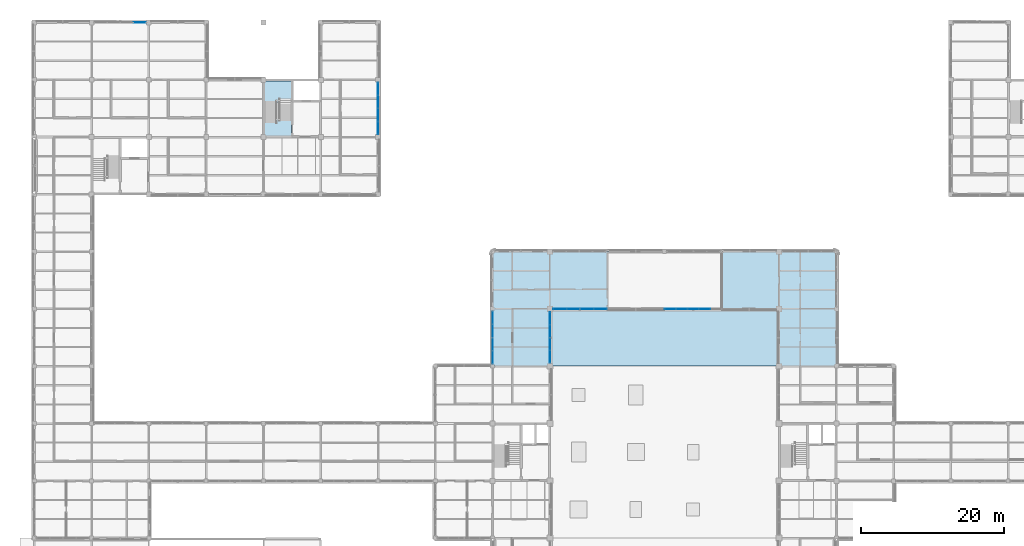
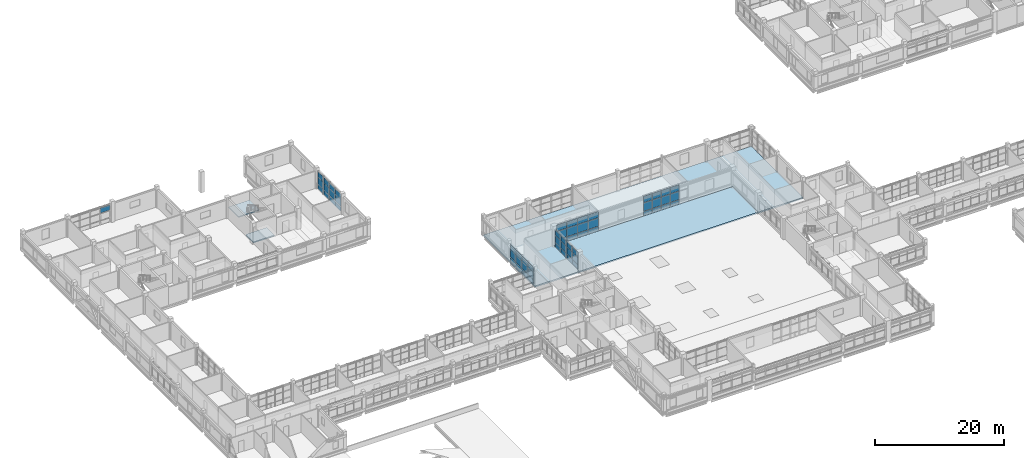
# One storey, part 63 of 107: 61 plates, 4 slabs, 7 elements without a shape of their own.
"""IFC4 building model written with IfcOpenShell, lengths in metres."""

from ifc_helpers import new_model, si_unit, derived_unit, direction, frame, origin, origin_2d, place, context, subcontext, project, spatial, polyline, rectangle, outline, extrude, material, layer, layer_set, type_object, element, aggregate, save


model = new_model("IFC4")

# Units and contexts
model_context = context("Model", 3, precision=1e-05, world=origin(), true_north=direction((0.0, 1.0)))
body_context = subcontext(model_context, "Body", "Model", "MODEL_VIEW")
ifc_project = project(units=[si_unit("LENGTHUNIT", "METRE"), si_unit("AREAUNIT", "SQUARE_METRE"), si_unit("VOLUMEUNIT", "CUBIC_METRE"), si_unit("PLANEANGLEUNIT", "RADIAN"), si_unit("MASSUNIT", "GRAM", prefix="KILO"), derived_unit("THERMALTRANSMITTANCEUNIT", [(si_unit("MASSUNIT", "GRAM", prefix="KILO"), 1), (si_unit("TIMEUNIT", "SECOND"), -3), (si_unit("THERMODYNAMICTEMPERATUREUNIT", "KELVIN"), -1)])], contexts=[model_context])

# Site, building, storey
site_placement = place(None, origin())
site = spatial("IfcSite", under=ifc_project, at=site_placement, CompositionType="ELEMENT")
building_placement = place(site_placement, origin())
building = spatial("IfcBuilding", under=site, at=building_placement, Name="Veyamyaing Civic Hall", CompositionType="ELEMENT")
storey_placement = place(building_placement, frame((0.0, 0.0, 13.860107421875)))
storey = spatial("IfcBuildingStorey", under=building, at=storey_placement, Name="L03", CompositionType="ELEMENT", Elevation=13.860107421875)

# Curtain wall, plate
ifc_material_1 = material(Name="Anodised aluminium 6063-T6", Category="aluminium")
ifc_layer_1 = layer(ifc_material_1, 0.159912109375, Name="Anodised aluminium 6063-T6")
ifc_layer_set_1 = layer_set([ifc_layer_1], Name="Anodised aluminium 6063-T6")
curtain_wall_type = type_object("IfcCurtainWallType", Name="CW-07", PredefinedType="NOTDEFINED", material=ifc_layer_set_1)
curtain_wall_1_placement = place(storey_placement, origin())
curtain_wall_1 = element("IfcCurtainWall", 1, at=curtain_wall_1_placement, inside=storey, type_object=curtain_wall_type, Name="Unitized curtain wall CW-07 L03 N 2.14", PredefinedType="NOTDEFINED")
ifc_material_2 = material(Name="Low-E insulated glass", Category="glass")
ifc_layer_2 = layer(ifc_material_2, 0.028076171875, Name="Low-E insulated glass")
ifc_layer_set_2 = layer_set([ifc_layer_2], Name="Low-E insulated glass")
plate_type_1 = type_object("IfcPlateType", Name="CWP-01", PredefinedType="CURTAIN_PANEL", material=ifc_layer_set_2)
plate_1_placement = place(storey_placement, frame((14.717529296875, 112.0, 2.279296875), z_axis=(0.0, 0.0, 1.0), x_axis=(1.0, 0.0, 0.0)))
plate_1 = element("IfcPlate", 2, at=plate_1_placement, type_object=plate_type_1, Name="CW-07 panel 4.3", PredefinedType="CURTAIN_PANEL", context=body_context, shape_type="SweptSolid", body=[
    extrude(rectangle(XDim=1.72509765625, YDim=0.028076171875, at=origin_2d()), origin(), (0.0, 0.0, 1.0), 0.959716796875),
])
aggregate(curtain_wall_1, [plate_1])

# Curtain wall, plates
curtain_wall_2_placement = place(storey_placement, origin())
curtain_wall_2 = element("IfcCurtainWall", 3, at=curtain_wall_2_placement, inside=storey, type_object=curtain_wall_type, Name="Unitized curtain wall CW-07 L03 S 12.10", PredefinedType="NOTDEFINED")
plate_2_placement = place(storey_placement, frame((88.816162109375, 72.0, 0.06494140625), z_axis=(0.0, 0.0, 1.0), x_axis=(1.0, 0.0, 0.0)))
plate_2 = element("IfcPlate", 4, at=plate_2_placement, type_object=plate_type_1, Name="CW-07 panel 1.1", PredefinedType="CURTAIN_PANEL", context=body_context, shape_type="SweptSolid", body=[
    extrude(rectangle(XDim=1.50244140625, YDim=0.028076171875, at=origin_2d()), origin(), (0.0, 0.0, 1.0), 0.802490234375),
])
plate_3_placement = place(storey_placement, frame((88.816162109375, 72.0, 0.93212890625), z_axis=(0.0, 0.0, 1.0), x_axis=(1.0, 0.0, 0.0)))
plate_3 = element("IfcPlate", 5, at=plate_3_placement, type_object=plate_type_1, Name="CW-07 panel 1.2", PredefinedType="CURTAIN_PANEL", context=body_context, shape_type="SweptSolid", body=[
    extrude(rectangle(XDim=1.50244140625, YDim=0.028076171875, at=origin_2d()), origin(), (0.0, 0.0, 1.0), 1.568115234375),
])
plate_4_placement = place(storey_placement, frame((88.816162109375, 72.0, 2.5654296875), z_axis=(0.0, 0.0, 1.0), x_axis=(1.0, 0.0, 0.0)))
plate_4 = element("IfcPlate", 6, at=plate_4_placement, type_object=plate_type_1, Name="CW-07 panel 1.3", PredefinedType="CURTAIN_PANEL", context=body_context, shape_type="SweptSolid", body=[
    extrude(rectangle(XDim=1.50244140625, YDim=0.028076171875, at=origin_2d()), origin(), (0.0, 0.0, 1.0), 1.094482421875),
])
plate_5_placement = place(storey_placement, frame((90.39990234375, 72.0, 0.06494140625), z_axis=(0.0, 0.0, 1.0), x_axis=(1.0, 0.0, 0.0)))
plate_5 = element("IfcPlate", 7, at=plate_5_placement, type_object=plate_type_1, Name="CW-07 panel 2.1", PredefinedType="CURTAIN_PANEL", context=body_context, shape_type="SweptSolid", body=[
    extrude(rectangle(XDim=1.534912109375, YDim=0.028076171875, at=origin_2d()), origin(), (0.0, 0.0, 1.0), 0.802490234375),
])
plate_6_placement = place(storey_placement, frame((90.39990234375, 72.0, 0.93212890625), z_axis=(0.0, 0.0, 1.0), x_axis=(1.0, 0.0, 0.0)))
plate_6 = element("IfcPlate", 8, at=plate_6_placement, type_object=plate_type_1, Name="CW-07 panel 2.2", PredefinedType="CURTAIN_PANEL", context=body_context, shape_type="SweptSolid", body=[
    extrude(rectangle(XDim=1.534912109375, YDim=0.028076171875, at=origin_2d()), origin(), (0.0, 0.0, 1.0), 1.568115234375),
])
plate_7_placement = place(storey_placement, frame((90.39990234375, 72.0, 2.5654296875), z_axis=(0.0, 0.0, 1.0), x_axis=(1.0, 0.0, 0.0)))
plate_7 = element("IfcPlate", 9, at=plate_7_placement, type_object=plate_type_1, Name="CW-07 panel 2.3", PredefinedType="CURTAIN_PANEL", context=body_context, shape_type="SweptSolid", body=[
    extrude(rectangle(XDim=1.534912109375, YDim=0.028076171875, at=origin_2d()), origin(), (0.0, 0.0, 1.0), 1.094482421875),
])
plate_8_placement = place(storey_placement, frame((92.0, 72.0, 0.06494140625), z_axis=(0.0, 0.0, 1.0), x_axis=(1.0, 0.0, 0.0)))
plate_8 = element("IfcPlate", 10, at=plate_8_placement, type_object=plate_type_1, Name="CW-07 panel 3.1", PredefinedType="CURTAIN_PANEL", context=body_context, shape_type="SweptSolid", body=[
    extrude(rectangle(XDim=1.534912109375, YDim=0.028076171875, at=origin_2d()), origin(), (0.0, 0.0, 1.0), 0.802490234375),
])
plate_9_placement = place(storey_placement, frame((92.0, 72.0, 0.93212890625), z_axis=(0.0, 0.0, 1.0), x_axis=(1.0, 0.0, 0.0)))
plate_9 = element("IfcPlate", 11, at=plate_9_placement, type_object=plate_type_1, Name="CW-07 panel 3.2", PredefinedType="CURTAIN_PANEL", context=body_context, shape_type="SweptSolid", body=[
    extrude(rectangle(XDim=1.534912109375, YDim=0.028076171875, at=origin_2d()), origin(), (0.0, 0.0, 1.0), 1.568115234375),
])
plate_10_placement = place(storey_placement, frame((92.0, 72.0, 2.5654296875), z_axis=(0.0, 0.0, 1.0), x_axis=(1.0, 0.0, 0.0)))
plate_10 = element("IfcPlate", 12, at=plate_10_placement, type_object=plate_type_1, Name="CW-07 panel 3.3", PredefinedType="CURTAIN_PANEL", context=body_context, shape_type="SweptSolid", body=[
    extrude(rectangle(XDim=1.534912109375, YDim=0.028076171875, at=origin_2d()), origin(), (0.0, 0.0, 1.0), 1.094482421875),
])
plate_11_placement = place(storey_placement, frame((93.60009765625, 72.0, 0.06494140625), z_axis=(0.0, 0.0, 1.0), x_axis=(1.0, 0.0, 0.0)))
plate_11 = element("IfcPlate", 13, at=plate_11_placement, type_object=plate_type_1, Name="CW-07 panel 4.1", PredefinedType="CURTAIN_PANEL", context=body_context, shape_type="SweptSolid", body=[
    extrude(rectangle(XDim=1.534912109375, YDim=0.028076171875, at=origin_2d()), origin(), (0.0, 0.0, 1.0), 0.802490234375),
])
plate_12_placement = place(storey_placement, frame((93.60009765625, 72.0, 0.93212890625), z_axis=(0.0, 0.0, 1.0), x_axis=(1.0, 0.0, 0.0)))
plate_12 = element("IfcPlate", 14, at=plate_12_placement, type_object=plate_type_1, Name="CW-07 panel 4.2", PredefinedType="CURTAIN_PANEL", context=body_context, shape_type="SweptSolid", body=[
    extrude(rectangle(XDim=1.534912109375, YDim=0.028076171875, at=origin_2d()), origin(), (0.0, 0.0, 1.0), 1.568115234375),
])
plate_13_placement = place(storey_placement, frame((93.60009765625, 72.0, 2.5654296875), z_axis=(0.0, 0.0, 1.0), x_axis=(1.0, 0.0, 0.0)))
plate_13 = element("IfcPlate", 15, at=plate_13_placement, type_object=plate_type_1, Name="CW-07 panel 4.3", PredefinedType="CURTAIN_PANEL", context=body_context, shape_type="SweptSolid", body=[
    extrude(rectangle(XDim=1.534912109375, YDim=0.028076171875, at=origin_2d()), origin(), (0.0, 0.0, 1.0), 1.094482421875),
])
aggregate(curtain_wall_2, [plate_2, plate_3, plate_4, plate_5, plate_6, plate_7, plate_8, plate_9, plate_10, plate_11, plate_12, plate_13])

curtain_wall_3_placement = place(storey_placement, origin())
curtain_wall_3 = element("IfcCurtainWall", 16, at=curtain_wall_3_placement, inside=storey, type_object=curtain_wall_type, Name="Unitized curtain wall CW-07 L03 W 9.9", PredefinedType="NOTDEFINED")
ifc_layer_3 = layer(ifc_material_2, 0.035888671875, Name="Low-E insulated glass")
ifc_layer_set_3 = layer_set([ifc_layer_3], Name="Low-E insulated glass")
plate_type_2 = type_object("IfcPlateType", Name="CWP-03", PredefinedType="CURTAIN_PANEL", material=ifc_layer_set_3)
plate_14_placement = place(storey_placement, frame((64.0, 65.2451171875, 0.06494140625), z_axis=(0.0, 0.0, 1.0), x_axis=(0.0, 1.0, 0.0)))
plate_14 = element("IfcPlate", 17, at=plate_14_placement, type_object=plate_type_2, Name="CW-07 panel 1.1", PredefinedType="CURTAIN_PANEL", context=body_context, shape_type="SweptSolid", body=[
    extrude(rectangle(XDim=1.75, YDim=0.035888671875, at=origin_2d()), origin(), (0.0, 0.0, 1.0), 0.802490234375),
])
plate_15_placement = place(storey_placement, frame((64.0, 65.2451171875, 0.932373046875), z_axis=(0.0, 0.0, 1.0), x_axis=(0.0, 1.0, 0.0)))
plate_15 = element("IfcPlate", 18, at=plate_15_placement, type_object=plate_type_2, Name="CW-07 panel 1.2", PredefinedType="CURTAIN_PANEL", context=body_context, shape_type="SweptSolid", body=[
    extrude(rectangle(XDim=1.75, YDim=0.035888671875, at=origin_2d()), origin(), (0.0, 0.0, 1.0), 1.32470703125),
])
plate_16_placement = place(storey_placement, frame((64.0, 65.2451171875, 2.322021484375), z_axis=(0.0, 0.0, 1.0), x_axis=(0.0, 1.0, 0.0)))
plate_16 = element("IfcPlate", 19, at=plate_16_placement, type_object=plate_type_2, Name="CW-07 panel 1.3", PredefinedType="CURTAIN_PANEL", context=body_context, shape_type="SweptSolid", body=[
    extrude(rectangle(XDim=1.75, YDim=0.035888671875, at=origin_2d()), origin(), (0.0, 0.0, 1.0), 0.97998046875),
])
plate_17_placement = place(storey_placement, frame((64.0, 67.076171875, 0.06494140625), z_axis=(0.0, 0.0, 1.0), x_axis=(0.0, 1.0, 0.0)))
plate_17 = element("IfcPlate", 20, at=plate_17_placement, type_object=plate_type_2, Name="CW-07 panel 2.1", PredefinedType="CURTAIN_PANEL", context=body_context, shape_type="SweptSolid", body=[
    extrude(rectangle(XDim=1.782470703125, YDim=0.035888671875, at=origin_2d()), origin(), (0.0, 0.0, 1.0), 0.802490234375),
])
plate_18_placement = place(storey_placement, frame((64.0, 67.076171875, 0.932373046875), z_axis=(0.0, 0.0, 1.0), x_axis=(0.0, 1.0, 0.0)))
plate_18 = element("IfcPlate", 21, at=plate_18_placement, type_object=plate_type_2, Name="CW-07 panel 2.2", PredefinedType="CURTAIN_PANEL", context=body_context, shape_type="SweptSolid", body=[
    extrude(rectangle(XDim=1.782470703125, YDim=0.035888671875, at=origin_2d()), origin(), (0.0, 0.0, 1.0), 1.32470703125),
])
plate_19_placement = place(storey_placement, frame((64.0, 67.076171875, 2.322021484375), z_axis=(0.0, 0.0, 1.0), x_axis=(0.0, 1.0, 0.0)))
plate_19 = element("IfcPlate", 22, at=plate_19_placement, type_object=plate_type_2, Name="CW-07 panel 2.3", PredefinedType="CURTAIN_PANEL", context=body_context, shape_type="SweptSolid", body=[
    extrude(rectangle(XDim=1.782470703125, YDim=0.035888671875, at=origin_2d()), origin(), (0.0, 0.0, 1.0), 0.97998046875),
])
plate_20_placement = place(storey_placement, frame((64.0, 68.923828125, 0.06494140625), z_axis=(0.0, 0.0, 1.0), x_axis=(0.0, 1.0, 0.0)))
plate_20 = element("IfcPlate", 23, at=plate_20_placement, type_object=plate_type_2, Name="CW-07 panel 3.1", PredefinedType="CURTAIN_PANEL", context=body_context, shape_type="SweptSolid", body=[
    extrude(rectangle(XDim=1.782470703125, YDim=0.035888671875, at=origin_2d()), origin(), (0.0, 0.0, 1.0), 0.802490234375),
])
plate_21_placement = place(storey_placement, frame((64.0, 68.923828125, 0.932373046875), z_axis=(0.0, 0.0, 1.0), x_axis=(0.0, 1.0, 0.0)))
plate_21 = element("IfcPlate", 24, at=plate_21_placement, type_object=plate_type_2, Name="CW-07 panel 3.2", PredefinedType="CURTAIN_PANEL", context=body_context, shape_type="SweptSolid", body=[
    extrude(rectangle(XDim=1.782470703125, YDim=0.035888671875, at=origin_2d()), origin(), (0.0, 0.0, 1.0), 1.32470703125),
])
plate_22_placement = place(storey_placement, frame((64.0, 68.923828125, 2.322021484375), z_axis=(0.0, 0.0, 1.0), x_axis=(0.0, 1.0, 0.0)))
plate_22 = element("IfcPlate", 25, at=plate_22_placement, type_object=plate_type_2, Name="CW-07 panel 3.3", PredefinedType="CURTAIN_PANEL", context=body_context, shape_type="SweptSolid", body=[
    extrude(rectangle(XDim=1.782470703125, YDim=0.035888671875, at=origin_2d()), origin(), (0.0, 0.0, 1.0), 0.97998046875),
])
plate_23_placement = place(storey_placement, frame((64.0, 70.7548828125, 0.06494140625), z_axis=(0.0, 0.0, 1.0), x_axis=(0.0, 1.0, 0.0)))
plate_23 = element("IfcPlate", 26, at=plate_23_placement, type_object=plate_type_2, Name="CW-07 panel 4.1", PredefinedType="CURTAIN_PANEL", context=body_context, shape_type="SweptSolid", body=[
    extrude(rectangle(XDim=1.75, YDim=0.035888671875, at=origin_2d()), origin(), (0.0, 0.0, 1.0), 0.802490234375),
])
plate_24_placement = place(storey_placement, frame((64.0, 70.7548828125, 0.932373046875), z_axis=(0.0, 0.0, 1.0), x_axis=(0.0, 1.0, 0.0)))
plate_24 = element("IfcPlate", 27, at=plate_24_placement, type_object=plate_type_2, Name="CW-07 panel 4.2", PredefinedType="CURTAIN_PANEL", context=body_context, shape_type="SweptSolid", body=[
    extrude(rectangle(XDim=1.75, YDim=0.035888671875, at=origin_2d()), origin(), (0.0, 0.0, 1.0), 1.32470703125),
])
plate_25_placement = place(storey_placement, frame((64.0, 70.7548828125, 2.322021484375), z_axis=(0.0, 0.0, 1.0), x_axis=(0.0, 1.0, 0.0)))
plate_25 = element("IfcPlate", 28, at=plate_25_placement, type_object=plate_type_2, Name="CW-07 panel 4.3", PredefinedType="CURTAIN_PANEL", context=body_context, shape_type="SweptSolid", body=[
    extrude(rectangle(XDim=1.75, YDim=0.035888671875, at=origin_2d()), origin(), (0.0, 0.0, 1.0), 0.97998046875),
])
aggregate(curtain_wall_3, [plate_14, plate_15, plate_16, plate_17, plate_18, plate_19, plate_20, plate_21, plate_22, plate_23, plate_24, plate_25])

curtain_wall_4_placement = place(storey_placement, origin())
curtain_wall_4 = element("IfcCurtainWall", 29, at=curtain_wall_4_placement, inside=storey, type_object=curtain_wall_type, Name="Unitized curtain wall CW-07 L03 E 9.9", PredefinedType="NOTDEFINED")
plate_26_placement = place(storey_placement, frame((72.0, 65.3388671875, 0.06494140625), z_axis=(0.0, 0.0, 1.0), x_axis=(0.0, 1.0, 0.0)))
plate_26 = element("IfcPlate", 30, at=plate_26_placement, type_object=plate_type_2, Name="CW-07 panel 1.1", PredefinedType="CURTAIN_PANEL", context=body_context, shape_type="SweptSolid", body=[
    extrude(rectangle(XDim=1.6875, YDim=0.035888671875, at=origin_2d()), origin(), (0.0, 0.0, 1.0), 0.802490234375),
])
plate_27_placement = place(storey_placement, frame((72.0, 65.3388671875, 0.93212890625), z_axis=(0.0, 0.0, 1.0), x_axis=(0.0, 1.0, 0.0)))
plate_27 = element("IfcPlate", 31, at=plate_27_placement, type_object=plate_type_2, Name="CW-07 panel 1.2", PredefinedType="CURTAIN_PANEL", context=body_context, shape_type="SweptSolid", body=[
    extrude(rectangle(XDim=1.6875, YDim=0.035888671875, at=origin_2d()), origin(), (0.0, 0.0, 1.0), 1.279052734375),
])
plate_28_placement = place(storey_placement, frame((72.0, 65.3388671875, 2.2763671875), z_axis=(0.0, 0.0, 1.0), x_axis=(0.0, 1.0, 0.0)))
plate_28 = element("IfcPlate", 32, at=plate_28_placement, type_object=plate_type_2, Name="CW-07 panel 1.3", PredefinedType="CURTAIN_PANEL", context=body_context, shape_type="SweptSolid", body=[
    extrude(rectangle(XDim=1.6875, YDim=0.035888671875, at=origin_2d()), origin(), (0.0, 0.0, 1.0), 0.95849609375),
])
plate_29_placement = place(storey_placement, frame((72.0, 67.107421875, 0.06494140625), z_axis=(0.0, 0.0, 1.0), x_axis=(0.0, 1.0, 0.0)))
plate_29 = element("IfcPlate", 33, at=plate_29_placement, type_object=plate_type_2, Name="CW-07 panel 2.1", PredefinedType="CURTAIN_PANEL", context=body_context, shape_type="SweptSolid", body=[
    extrude(rectangle(XDim=1.719970703125, YDim=0.035888671875, at=origin_2d()), origin(), (0.0, 0.0, 1.0), 0.802490234375),
])
plate_30_placement = place(storey_placement, frame((72.0, 67.107421875, 0.93212890625), z_axis=(0.0, 0.0, 1.0), x_axis=(0.0, 1.0, 0.0)))
plate_30 = element("IfcPlate", 34, at=plate_30_placement, type_object=plate_type_2, Name="CW-07 panel 2.2", PredefinedType="CURTAIN_PANEL", context=body_context, shape_type="SweptSolid", body=[
    extrude(rectangle(XDim=1.719970703125, YDim=0.035888671875, at=origin_2d()), origin(), (0.0, 0.0, 1.0), 1.279052734375),
])
plate_31_placement = place(storey_placement, frame((72.0, 67.107421875, 2.2763671875), z_axis=(0.0, 0.0, 1.0), x_axis=(0.0, 1.0, 0.0)))
plate_31 = element("IfcPlate", 35, at=plate_31_placement, type_object=plate_type_2, Name="CW-07 panel 2.3", PredefinedType="CURTAIN_PANEL", context=body_context, shape_type="SweptSolid", body=[
    extrude(rectangle(XDim=1.719970703125, YDim=0.035888671875, at=origin_2d()), origin(), (0.0, 0.0, 1.0), 0.95849609375),
])
plate_32_placement = place(storey_placement, frame((72.0, 68.892578125, 0.06494140625), z_axis=(0.0, 0.0, 1.0), x_axis=(0.0, 1.0, 0.0)))
plate_32 = element("IfcPlate", 36, at=plate_32_placement, type_object=plate_type_2, Name="CW-07 panel 3.1", PredefinedType="CURTAIN_PANEL", context=body_context, shape_type="SweptSolid", body=[
    extrude(rectangle(XDim=1.719970703125, YDim=0.035888671875, at=origin_2d()), origin(), (0.0, 0.0, 1.0), 0.802490234375),
])
plate_33_placement = place(storey_placement, frame((72.0, 68.892578125, 0.93212890625), z_axis=(0.0, 0.0, 1.0), x_axis=(0.0, 1.0, 0.0)))
plate_33 = element("IfcPlate", 37, at=plate_33_placement, type_object=plate_type_2, Name="CW-07 panel 3.2", PredefinedType="CURTAIN_PANEL", context=body_context, shape_type="SweptSolid", body=[
    extrude(rectangle(XDim=1.719970703125, YDim=0.035888671875, at=origin_2d()), origin(), (0.0, 0.0, 1.0), 1.279052734375),
])
plate_34_placement = place(storey_placement, frame((72.0, 68.892578125, 2.2763671875), z_axis=(0.0, 0.0, 1.0), x_axis=(0.0, 1.0, 0.0)))
plate_34 = element("IfcPlate", 38, at=plate_34_placement, type_object=plate_type_2, Name="CW-07 panel 3.3", PredefinedType="CURTAIN_PANEL", context=body_context, shape_type="SweptSolid", body=[
    extrude(rectangle(XDim=1.719970703125, YDim=0.035888671875, at=origin_2d()), origin(), (0.0, 0.0, 1.0), 0.95849609375),
])
plate_35_placement = place(storey_placement, frame((72.0, 70.6611328125, 0.06494140625), z_axis=(0.0, 0.0, 1.0), x_axis=(0.0, 1.0, 0.0)))
plate_35 = element("IfcPlate", 39, at=plate_35_placement, type_object=plate_type_2, Name="CW-07 panel 4.1", PredefinedType="CURTAIN_PANEL", context=body_context, shape_type="SweptSolid", body=[
    extrude(rectangle(XDim=1.6875, YDim=0.035888671875, at=origin_2d()), origin(), (0.0, 0.0, 1.0), 0.802490234375),
])
plate_36_placement = place(storey_placement, frame((72.0, 70.6611328125, 0.93212890625), z_axis=(0.0, 0.0, 1.0), x_axis=(0.0, 1.0, 0.0)))
plate_36 = element("IfcPlate", 40, at=plate_36_placement, type_object=plate_type_2, Name="CW-07 panel 4.2", PredefinedType="CURTAIN_PANEL", context=body_context, shape_type="SweptSolid", body=[
    extrude(rectangle(XDim=1.6875, YDim=0.035888671875, at=origin_2d()), origin(), (0.0, 0.0, 1.0), 1.279052734375),
])
plate_37_placement = place(storey_placement, frame((72.0, 70.6611328125, 2.2763671875), z_axis=(0.0, 0.0, 1.0), x_axis=(0.0, 1.0, 0.0)))
plate_37 = element("IfcPlate", 41, at=plate_37_placement, type_object=plate_type_2, Name="CW-07 panel 4.3", PredefinedType="CURTAIN_PANEL", context=body_context, shape_type="SweptSolid", body=[
    extrude(rectangle(XDim=1.6875, YDim=0.035888671875, at=origin_2d()), origin(), (0.0, 0.0, 1.0), 0.95849609375),
])
aggregate(curtain_wall_4, [plate_26, plate_27, plate_28, plate_29, plate_30, plate_31, plate_32, plate_33, plate_34, plate_35, plate_36, plate_37])

curtain_wall_5_placement = place(storey_placement, origin())
curtain_wall_5 = element("IfcCurtainWall", 42, at=curtain_wall_5_placement, inside=storey, type_object=curtain_wall_type, Name="Unitized curtain wall CW-07 L03 E 6.13", PredefinedType="NOTDEFINED")
ifc_layer_4 = layer(ifc_material_2, 0.02392578125, Name="Low-E insulated glass")
ifc_layer_set_4 = layer_set([ifc_layer_4], Name="Low-E insulated glass")
plate_type_3 = type_object("IfcPlateType", Name="CWP-04", PredefinedType="CURTAIN_PANEL", material=ifc_layer_set_4)
plate_38_placement = place(storey_placement, frame((48.0, 97.282470703125, 0.06494140625), z_axis=(0.0, 0.0, 1.0), x_axis=(0.0, 1.0, 0.0)))
plate_38 = element("IfcPlate", 43, at=plate_38_placement, type_object=plate_type_3, Name="CW-07 panel 1.1", PredefinedType="CURTAIN_PANEL", context=body_context, shape_type="SweptSolid", body=[
    extrude(rectangle(XDim=1.72509765625, YDim=0.02392578125, at=origin_2d()), origin(), (0.0, 0.0, 1.0), 0.802490234375),
])
plate_39_placement = place(storey_placement, frame((48.0, 97.282470703125, 0.9326171875), z_axis=(0.0, 0.0, 1.0), x_axis=(0.0, 1.0, 0.0)))
plate_39 = element("IfcPlate", 44, at=plate_39_placement, type_object=plate_type_3, Name="CW-07 panel 1.2", PredefinedType="CURTAIN_PANEL", context=body_context, shape_type="SweptSolid", body=[
    extrude(rectangle(XDim=1.72509765625, YDim=0.02392578125, at=origin_2d()), origin(), (0.0, 0.0, 1.0), 1.322509765625),
])
plate_40_placement = place(storey_placement, frame((48.0, 97.282470703125, 2.31982421875), z_axis=(0.0, 0.0, 1.0), x_axis=(0.0, 1.0, 0.0)))
plate_40 = element("IfcPlate", 45, at=plate_40_placement, type_object=plate_type_3, Name="CW-07 panel 1.3", PredefinedType="CURTAIN_PANEL", context=body_context, shape_type="SweptSolid", body=[
    extrude(rectangle(XDim=1.72509765625, YDim=0.02392578125, at=origin_2d()), origin(), (0.0, 0.0, 1.0), 0.97900390625),
])
plate_41_placement = place(storey_placement, frame((48.0, 99.0888671875, 0.06494140625), z_axis=(0.0, 0.0, 1.0), x_axis=(0.0, 1.0, 0.0)))
plate_41 = element("IfcPlate", 46, at=plate_41_placement, type_object=plate_type_3, Name="CW-07 panel 2.1", PredefinedType="CURTAIN_PANEL", context=body_context, shape_type="SweptSolid", body=[
    extrude(rectangle(XDim=1.757568359375, YDim=0.02392578125, at=origin_2d()), origin(), (0.0, 0.0, 1.0), 0.802490234375),
])
plate_42_placement = place(storey_placement, frame((48.0, 99.0888671875, 0.9326171875), z_axis=(0.0, 0.0, 1.0), x_axis=(0.0, 1.0, 0.0)))
plate_42 = element("IfcPlate", 47, at=plate_42_placement, type_object=plate_type_3, Name="CW-07 panel 2.2", PredefinedType="CURTAIN_PANEL", context=body_context, shape_type="SweptSolid", body=[
    extrude(rectangle(XDim=1.757568359375, YDim=0.02392578125, at=origin_2d()), origin(), (0.0, 0.0, 1.0), 1.322509765625),
])
plate_43_placement = place(storey_placement, frame((48.0, 99.0888671875, 2.31982421875), z_axis=(0.0, 0.0, 1.0), x_axis=(0.0, 1.0, 0.0)))
plate_43 = element("IfcPlate", 48, at=plate_43_placement, type_object=plate_type_3, Name="CW-07 panel 2.3", PredefinedType="CURTAIN_PANEL", context=body_context, shape_type="SweptSolid", body=[
    extrude(rectangle(XDim=1.757568359375, YDim=0.02392578125, at=origin_2d()), origin(), (0.0, 0.0, 1.0), 0.97900390625),
])
plate_44_placement = place(storey_placement, frame((48.0, 100.9111328125, 0.06494140625), z_axis=(0.0, 0.0, 1.0), x_axis=(0.0, 1.0, 0.0)))
plate_44 = element("IfcPlate", 49, at=plate_44_placement, type_object=plate_type_3, Name="CW-07 panel 3.1", PredefinedType="CURTAIN_PANEL", context=body_context, shape_type="SweptSolid", body=[
    extrude(rectangle(XDim=1.757568359375, YDim=0.02392578125, at=origin_2d()), origin(), (0.0, 0.0, 1.0), 0.802490234375),
])
plate_45_placement = place(storey_placement, frame((48.0, 100.9111328125, 0.9326171875), z_axis=(0.0, 0.0, 1.0), x_axis=(0.0, 1.0, 0.0)))
plate_45 = element("IfcPlate", 50, at=plate_45_placement, type_object=plate_type_3, Name="CW-07 panel 3.2", PredefinedType="CURTAIN_PANEL", context=body_context, shape_type="SweptSolid", body=[
    extrude(rectangle(XDim=1.757568359375, YDim=0.02392578125, at=origin_2d()), origin(), (0.0, 0.0, 1.0), 1.322509765625),
])
plate_46_placement = place(storey_placement, frame((48.0, 100.9111328125, 2.31982421875), z_axis=(0.0, 0.0, 1.0), x_axis=(0.0, 1.0, 0.0)))
plate_46 = element("IfcPlate", 51, at=plate_46_placement, type_object=plate_type_3, Name="CW-07 panel 3.3", PredefinedType="CURTAIN_PANEL", context=body_context, shape_type="SweptSolid", body=[
    extrude(rectangle(XDim=1.757568359375, YDim=0.02392578125, at=origin_2d()), origin(), (0.0, 0.0, 1.0), 0.97900390625),
])
plate_47_placement = place(storey_placement, frame((48.0, 102.717529296875, 0.06494140625), z_axis=(0.0, 0.0, 1.0), x_axis=(0.0, 1.0, 0.0)))
plate_47 = element("IfcPlate", 52, at=plate_47_placement, type_object=plate_type_3, Name="CW-07 panel 4.1", PredefinedType="CURTAIN_PANEL", context=body_context, shape_type="SweptSolid", body=[
    extrude(rectangle(XDim=1.72509765625, YDim=0.02392578125, at=origin_2d()), origin(), (0.0, 0.0, 1.0), 0.802490234375),
])
plate_48_placement = place(storey_placement, frame((48.0, 102.717529296875, 0.9326171875), z_axis=(0.0, 0.0, 1.0), x_axis=(0.0, 1.0, 0.0)))
plate_48 = element("IfcPlate", 53, at=plate_48_placement, type_object=plate_type_3, Name="CW-07 panel 4.2", PredefinedType="CURTAIN_PANEL", context=body_context, shape_type="SweptSolid", body=[
    extrude(rectangle(XDim=1.72509765625, YDim=0.02392578125, at=origin_2d()), origin(), (0.0, 0.0, 1.0), 1.322509765625),
])
plate_49_placement = place(storey_placement, frame((48.0, 102.717529296875, 2.31982421875), z_axis=(0.0, 0.0, 1.0), x_axis=(0.0, 1.0, 0.0)))
plate_49 = element("IfcPlate", 54, at=plate_49_placement, type_object=plate_type_3, Name="CW-07 panel 4.3", PredefinedType="CURTAIN_PANEL", context=body_context, shape_type="SweptSolid", body=[
    extrude(rectangle(XDim=1.72509765625, YDim=0.02392578125, at=origin_2d()), origin(), (0.0, 0.0, 1.0), 0.97900390625),
])
aggregate(curtain_wall_5, [plate_38, plate_39, plate_40, plate_41, plate_42, plate_43, plate_44, plate_45, plate_46, plate_47, plate_48, plate_49])

curtain_wall_6_placement = place(storey_placement, origin())
curtain_wall_6 = element("IfcCurtainWall", 55, at=curtain_wall_6_placement, inside=storey, type_object=curtain_wall_type, Name="Unitized curtain wall CW-07 L03 S 10.10", PredefinedType="NOTDEFINED")
ifc_layer_5 = layer(ifc_material_2, 0.0400390625, Name="Low-E insulated glass")
ifc_layer_set_5 = layer_set([ifc_layer_5], Name="Low-E insulated glass")
plate_type_4 = type_object("IfcPlateType", Name="CWP-05", PredefinedType="CURTAIN_PANEL", material=ifc_layer_set_5)
plate_50_placement = place(storey_placement, frame((73.392578125, 72.0, 0.06494140625), z_axis=(0.0, 0.0, 1.0), x_axis=(1.0, 0.0, 0.0)))
plate_50 = element("IfcPlate", 56, at=plate_50_placement, type_object=plate_type_4, Name="CW-07 panel 1.1", PredefinedType="CURTAIN_PANEL", context=body_context, shape_type="SweptSolid", body=[
    extrude(rectangle(XDim=1.794921875, YDim=0.0400390625, at=origin_2d()), origin(), (0.0, 0.0, 1.0), 0.802490234375),
])
plate_51_placement = place(storey_placement, frame((73.392578125, 72.0, 0.93212890625), z_axis=(0.0, 0.0, 1.0), x_axis=(1.0, 0.0, 0.0)))
plate_51 = element("IfcPlate", 57, at=plate_51_placement, type_object=plate_type_4, Name="CW-07 panel 1.2", PredefinedType="CURTAIN_PANEL", context=body_context, shape_type="SweptSolid", body=[
    extrude(rectangle(XDim=1.794921875, YDim=0.0400390625, at=origin_2d()), origin(), (0.0, 0.0, 1.0), 1.568115234375),
])
plate_52_placement = place(storey_placement, frame((73.392578125, 72.0, 2.5654296875), z_axis=(0.0, 0.0, 1.0), x_axis=(1.0, 0.0, 0.0)))
plate_52 = element("IfcPlate", 58, at=plate_52_placement, type_object=plate_type_4, Name="CW-07 panel 1.3", PredefinedType="CURTAIN_PANEL", context=body_context, shape_type="SweptSolid", body=[
    extrude(rectangle(XDim=1.794921875, YDim=0.0400390625, at=origin_2d()), origin(), (0.0, 0.0, 1.0), 1.094482421875),
])
plate_53_placement = place(storey_placement, frame((75.268798828125, 72.0, 0.06494140625), z_axis=(0.0, 0.0, 1.0), x_axis=(1.0, 0.0, 0.0)))
plate_53 = element("IfcPlate", 59, at=plate_53_placement, type_object=plate_type_4, Name="CW-07 panel 2.1", PredefinedType="CURTAIN_PANEL", context=body_context, shape_type="SweptSolid", body=[
    extrude(rectangle(XDim=1.827392578125, YDim=0.0400390625, at=origin_2d()), origin(), (0.0, 0.0, 1.0), 0.802490234375),
])
plate_54_placement = place(storey_placement, frame((75.268798828125, 72.0, 0.93212890625), z_axis=(0.0, 0.0, 1.0), x_axis=(1.0, 0.0, 0.0)))
plate_54 = element("IfcPlate", 60, at=plate_54_placement, type_object=plate_type_4, Name="CW-07 panel 2.2", PredefinedType="CURTAIN_PANEL", context=body_context, shape_type="SweptSolid", body=[
    extrude(rectangle(XDim=1.827392578125, YDim=0.0400390625, at=origin_2d()), origin(), (0.0, 0.0, 1.0), 1.568115234375),
])
plate_55_placement = place(storey_placement, frame((75.268798828125, 72.0, 2.5654296875), z_axis=(0.0, 0.0, 1.0), x_axis=(1.0, 0.0, 0.0)))
plate_55 = element("IfcPlate", 61, at=plate_55_placement, type_object=plate_type_4, Name="CW-07 panel 2.3", PredefinedType="CURTAIN_PANEL", context=body_context, shape_type="SweptSolid", body=[
    extrude(rectangle(XDim=1.827392578125, YDim=0.0400390625, at=origin_2d()), origin(), (0.0, 0.0, 1.0), 1.094482421875),
])
plate_56_placement = place(storey_placement, frame((77.1611328125, 72.0, 0.06494140625), z_axis=(0.0, 0.0, 1.0), x_axis=(1.0, 0.0, 0.0)))
plate_56 = element("IfcPlate", 62, at=plate_56_placement, type_object=plate_type_4, Name="CW-07 panel 3.1", PredefinedType="CURTAIN_PANEL", context=body_context, shape_type="SweptSolid", body=[
    extrude(rectangle(XDim=1.827392578125, YDim=0.0400390625, at=origin_2d()), origin(), (0.0, 0.0, 1.0), 0.802490234375),
])
plate_57_placement = place(storey_placement, frame((77.1611328125, 72.0, 0.93212890625), z_axis=(0.0, 0.0, 1.0), x_axis=(1.0, 0.0, 0.0)))
plate_57 = element("IfcPlate", 63, at=plate_57_placement, type_object=plate_type_4, Name="CW-07 panel 3.2", PredefinedType="CURTAIN_PANEL", context=body_context, shape_type="SweptSolid", body=[
    extrude(rectangle(XDim=1.827392578125, YDim=0.0400390625, at=origin_2d()), origin(), (0.0, 0.0, 1.0), 1.568115234375),
])
plate_58_placement = place(storey_placement, frame((77.1611328125, 72.0, 2.5654296875), z_axis=(0.0, 0.0, 1.0), x_axis=(1.0, 0.0, 0.0)))
plate_58 = element("IfcPlate", 64, at=plate_58_placement, type_object=plate_type_4, Name="CW-07 panel 3.3", PredefinedType="CURTAIN_PANEL", context=body_context, shape_type="SweptSolid", body=[
    extrude(rectangle(XDim=1.827392578125, YDim=0.0400390625, at=origin_2d()), origin(), (0.0, 0.0, 1.0), 1.094482421875),
])
plate_59_placement = place(storey_placement, frame((79.03759765625, 72.0, 0.06494140625), z_axis=(0.0, 0.0, 1.0), x_axis=(1.0, 0.0, 0.0)))
plate_59 = element("IfcPlate", 65, at=plate_59_placement, type_object=plate_type_4, Name="CW-07 panel 4.1", PredefinedType="CURTAIN_PANEL", context=body_context, shape_type="SweptSolid", body=[
    extrude(rectangle(XDim=1.794921875, YDim=0.0400390625, at=origin_2d()), origin(), (0.0, 0.0, 1.0), 0.802490234375),
])
plate_60_placement = place(storey_placement, frame((79.03759765625, 72.0, 0.93212890625), z_axis=(0.0, 0.0, 1.0), x_axis=(1.0, 0.0, 0.0)))
plate_60 = element("IfcPlate", 66, at=plate_60_placement, type_object=plate_type_4, Name="CW-07 panel 4.2", PredefinedType="CURTAIN_PANEL", context=body_context, shape_type="SweptSolid", body=[
    extrude(rectangle(XDim=1.794921875, YDim=0.0400390625, at=origin_2d()), origin(), (0.0, 0.0, 1.0), 1.568115234375),
])
plate_61_placement = place(storey_placement, frame((79.03759765625, 72.0, 2.5654296875), z_axis=(0.0, 0.0, 1.0), x_axis=(1.0, 0.0, 0.0)))
plate_61 = element("IfcPlate", 67, at=plate_61_placement, type_object=plate_type_4, Name="CW-07 panel 4.3", PredefinedType="CURTAIN_PANEL", context=body_context, shape_type="SweptSolid", body=[
    extrude(rectangle(XDim=1.794921875, YDim=0.0400390625, at=origin_2d()), origin(), (0.0, 0.0, 1.0), 1.094482421875),
])
aggregate(curtain_wall_6, [plate_50, plate_51, plate_52, plate_53, plate_54, plate_55, plate_56, plate_57, plate_58, plate_59, plate_60, plate_61])

# Slabs
ifc_material_3 = material(Name="Concrete C40/50", Category="concrete")
ifc_layer_6 = layer(ifc_material_3, 0.2548828125, Name="Concrete C40/50")
ifc_layer_set_6 = layer_set([ifc_layer_6], Name="Concrete C40/50")
slab_type_1 = type_object("IfcSlabType", Name="SL-05", PredefinedType="FLOOR", material=ifc_layer_set_6)
slab_1_placement = place(storey_placement, frame((0.0, 0.0, -0.255126953125)))
element("IfcSlab", 68, at=slab_1_placement, inside=storey, type_object=slab_type_1, Name="Floor slab SL-05 L03 V1N.1", PredefinedType="FLOOR", context=body_context, shape_type="SweptSolid", body=[
    extrude(outline(polyline([(64.0, 80.0), (112.0, 80.0), (112.0, 64.0), (104.0, 64.0), (104.0, 72.0), (72.0, 72.0), (72.0, 64.0), (64.0, 64.0), (64.0, 80.0)])), origin(), (0.0, 0.0, 1.0), 0.255126953125),
])
ifc_layer_7 = layer(ifc_material_3, 0.239990234375, Name="Concrete C40/50")
ifc_layer_set_7 = layer_set([ifc_layer_7], Name="Concrete C40/50")
slab_type_2 = type_object("IfcSlabType", Name="SL-15", PredefinedType="ROOF", material=ifc_layer_set_7)
slab_2_placement = place(storey_placement, frame((0.0, 0.0, -0.239990234375)))
element("IfcSlab", 69, at=slab_2_placement, inside=storey, type_object=slab_type_2, Name="Roof slab SL-15 L03 V1N.1", PredefinedType="ROOF", context=body_context, shape_type="SweptSolid", body=[
    extrude(outline(polyline([(72.0, 72.0), (104.0, 72.0), (104.0, 64.0), (72.0, 64.0), (72.0, 72.0)])), origin(), (0.0, 0.0, 1.0), 0.239990234375),
])
ifc_layer_8 = layer(ifc_material_3, 0.199951171875, Name="Concrete C40/50")
ifc_layer_set_8 = layer_set([ifc_layer_8], Name="Concrete C40/50")
slab_type_3 = type_object("IfcSlabType", Name="SL-16", PredefinedType="FLOOR", material=ifc_layer_set_8)
slab_3_placement = place(storey_placement, frame((0.0, 0.0, -0.2001953125)))
element("IfcSlab", 70, at=slab_3_placement, inside=storey, type_object=slab_type_3, Name="Stair floor landing slab SL-16 ST-02 L03", PredefinedType="FLOOR", context=body_context, shape_type="SweptSolid", body=[
    extrude(outline(polyline([(32.139892578125, 96.139892578125), (35.909912109375, 96.139892578125), (35.909912109375, 98.52001953125), (32.139892578125, 98.52001953125), (32.139892578125, 96.139892578125)])), origin(), (0.0, 0.0, 1.0), 0.2001953125),
])

# Stair, slab
stair_type = type_object("IfcStairType", Name="ST-D", PredefinedType="HALF_TURN_STAIR", material=ifc_material_3)
stair_placement = place(storey_placement, origin())
stair = element("IfcStair", 71, at=stair_placement, inside=storey, type_object=stair_type, Name="Protected exit stair ST-02 L03", PredefinedType="HALF_TURN_STAIR")
ifc_layer_9 = layer(ifc_material_3, 0.195068359375, Name="Concrete C40/50")
ifc_layer_set_9 = layer_set([ifc_layer_9], Name="Concrete C40/50")
slab_type_4 = type_object("IfcSlabType", Name="SL-LND", PredefinedType="LANDING", material=ifc_layer_set_9)
slab_4_placement = place(storey_placement, frame((0.0, 0.0, 1.784912109375)))
slab_4 = element("IfcSlab", 72, at=slab_4_placement, type_object=slab_type_4, Name="ST-02 landing 1", PredefinedType="LANDING", context=body_context, shape_type="SweptSolid", body=[
    extrude(outline(polyline([(32.139892578125, 100.7900390625), (35.909912109375, 100.7900390625), (35.909912109375, 103.860107421875), (32.139892578125, 103.860107421875), (32.139892578125, 100.7900390625)])), origin(), (0.0, 0.0, 1.0), 0.195068359375),
])
aggregate(stair, [slab_4])

save(model, "model.ifc")
